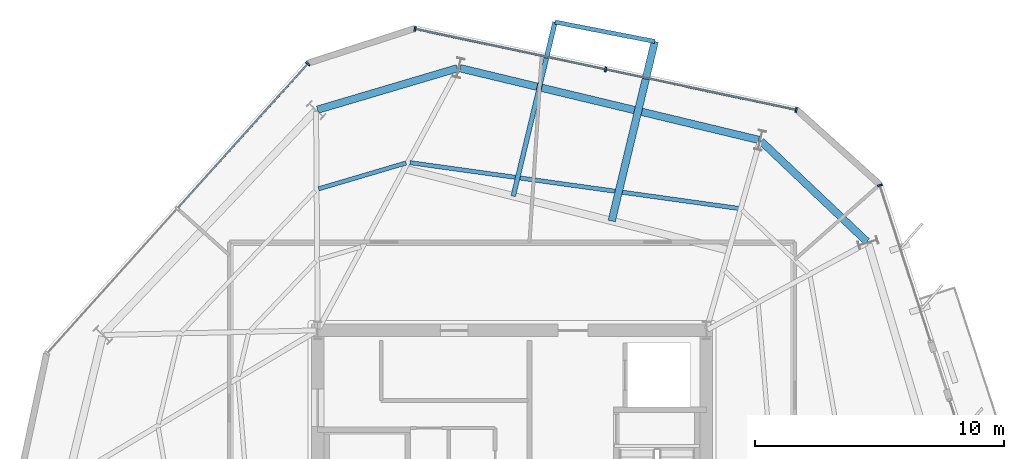
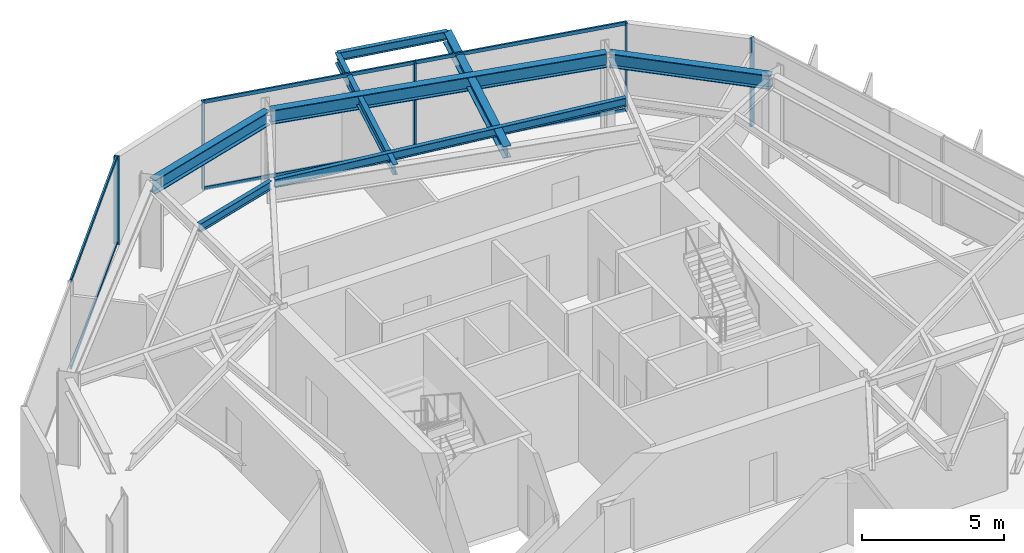
# One storey, part 5 of 11: 11 members, 8 beams, 3 elements without a shape of their own.
"""IFC4 building model written with IfcOpenShell, lengths in metres."""

from ifc_helpers import new_model, si_unit, direction, frame, origin, origin_2d, place, context, subcontext, project, spatial, rectangle, i_section, extrude, material, layer, layer_set, material_profile, profile_set, type_object, element, aggregate, save


model = new_model("IFC4")

# Units and contexts
model_context = context("Model", 3, precision=1e-05, world=origin(), true_north=direction((0.0, 1.0)))
body_context = subcontext(model_context, "Body", "Model", "MODEL_VIEW")
ifc_project = project(units=[si_unit("LENGTHUNIT", "METRE"), si_unit("AREAUNIT", "SQUARE_METRE"), si_unit("VOLUMEUNIT", "CUBIC_METRE"), si_unit("PLANEANGLEUNIT", "RADIAN"), si_unit("MASSUNIT", "GRAM", prefix="KILO")], contexts=[model_context])

# Site, building, storey
site_placement = place(None, origin())
site = spatial("IfcSite", under=ifc_project, at=site_placement, CompositionType="ELEMENT")
building_placement = place(site_placement, origin())
building = spatial("IfcBuilding", under=site, at=building_placement, Name="Kranzbogen Civic Tower", CompositionType="ELEMENT")
storey_placement = place(building_placement, frame((0.0, 0.0, 216.800048828125)))
storey = spatial("IfcBuildingStorey", under=building, at=storey_placement, Name="L52", CompositionType="ELEMENT", Elevation=216.800048828125)

# Beam
ifc_material_1 = material(Name="Steel S355", Category="steel")
ifc_material_profile_1 = material_profile(ifc_material_1, i_section(OverallWidth=0.18994140625, OverallDepth=0.449951171875, WebThickness=0.009521484375, FlangeThickness=0.0146484375, at=origin_2d()), Name="IPE 450")
ifc_profile_set_1 = profile_set([ifc_material_profile_1], Name="Steel S355")
beam_type_1 = type_object("IfcBeamType", Name="Braced Terrace Edge Beam IPE 450", PredefinedType="BEAM", material=ifc_profile_set_1)
beam_1_placement = place(storey_placement, frame((25.050048828125, 37.587890625, 3.52490234375), z_axis=(0.233384511099, 0.972384527838, 0.0), x_axis=(-0.972384527838, 0.233384511099, 0.0)))
element("IfcBeam", 1, at=beam_1_placement, inside=storey, type_object=beam_type_1, Name="L53 back-spanned terrace beam L53-TB1-2", PredefinedType="BEAM", context=body_context, shape_type="SweptSolid", body=[
    extrude(i_section(OverallWidth=0.18994140625, OverallDepth=0.449951171875, WebThickness=0.009521484375, FlangeThickness=0.0146484375, at=origin_2d()), origin(), (0.0, 0.0, 1.0), 7.189697265625),
])

# Curtain wall, members
ifc_material_2 = material(Name="Pale Anodised Aluminium", Category="aluminium")
ifc_layer = layer(ifc_material_2, 0.219970703125, Name="Pale Anodised Aluminium")
ifc_layer_set = layer_set([ifc_layer], Name="Pale Anodised Aluminium")
curtain_wall_type = type_object("IfcCurtainWallType", Name="Zone 3 Stick Curtain Wall System CW-04", PredefinedType="USERDEFINED", material=ifc_layer_set)
curtain_wall_1_placement = place(storey_placement, origin())
curtain_wall_1 = element("IfcCurtainWall", 2, at=curtain_wall_1_placement, inside=storey, type_object=curtain_wall_type, Name="L52 curtain wall CW-L52-F1", ObjectType="STICK CURTAIN WALL", PredefinedType="USERDEFINED")
ifc_material_profile_2 = material_profile(ifc_material_2, rectangle(XDim=0.070068359375, YDim=0.199951171875, at=origin_2d()), Name="ALU-M 70x200")
ifc_profile_set_2 = profile_set([ifc_material_profile_2], Name="Pale Anodised Aluminium")
member_type_1 = type_object("IfcMemberType", Name="Curtain Wall Mullion ALU-M 70x200", PredefinedType="MULLION", material=ifc_profile_set_2)
member_1_placement = place(storey_placement, frame((36.41064453125, 41.05029296875, 0.0), z_axis=(0.0, 0.0, 1.0), x_axis=(-0.978146714793, 0.2079158588, 0.0)))
member_1 = element("IfcMember", 3, at=member_1_placement, type_object=member_type_1, Name="CW-04 mullion 1", PredefinedType="MULLION", context=body_context, shape_type="SweptSolid", body=[
    extrude(rectangle(XDim=0.070068359375, YDim=0.199951171875, at=origin_2d()), origin(), (0.0, 0.0, 1.0), 3.780029296875),
])
member_2_placement = place(storey_placement, frame((28.757568359375, 42.677001953125, 0.0), z_axis=(0.0, 0.0, 1.0), x_axis=(-0.978146714793, 0.2079158588, 0.0)))
member_2 = element("IfcMember", 4, at=member_2_placement, type_object=member_type_1, Name="CW-04 mullion 2", PredefinedType="MULLION", context=body_context, shape_type="SweptSolid", body=[
    extrude(rectangle(XDim=0.070068359375, YDim=0.199951171875, at=origin_2d()), origin(), (0.0, 0.0, 1.0), 3.780029296875),
])
member_3_placement = place(storey_placement, frame((21.104248046875, 44.3037109375, 0.0), z_axis=(0.0, 0.0, 1.0), x_axis=(-0.978146714793, 0.2079158588, 0.0)))
member_3 = element("IfcMember", 5, at=member_3_placement, type_object=member_type_1, Name="CW-04 mullion 3", PredefinedType="MULLION", context=body_context, shape_type="SweptSolid", body=[
    extrude(rectangle(XDim=0.070068359375, YDim=0.199951171875, at=origin_2d()), origin(), (0.0, 0.0, 1.0), 3.780029296875),
])

# Curtain wall, member
curtain_wall_2_placement = place(storey_placement, origin())
curtain_wall_2 = element("IfcCurtainWall", 6, at=curtain_wall_2_placement, inside=storey, type_object=curtain_wall_type, Name="L52 curtain wall CW-L52-F2", ObjectType="STICK CURTAIN WALL", PredefinedType="USERDEFINED")
member_4_placement = place(storey_placement, frame((16.804931640625, 42.90673828125, 0.0), z_axis=(0.0, 0.0, 1.0), x_axis=(-0.669115965392, -0.743158008002, 0.0)))
member_4 = element("IfcMember", 7, at=member_4_placement, type_object=member_type_1, Name="CW-04 mullion 1", PredefinedType="MULLION", context=body_context, shape_type="SweptSolid", body=[
    extrude(rectangle(XDim=0.070068359375, YDim=0.199951171875, at=origin_2d()), origin(), (0.0, 0.0, 1.0), 3.780029296875),
])

curtain_wall_3_placement = place(storey_placement, origin())
curtain_wall_3 = element("IfcCurtainWall", 8, at=curtain_wall_3_placement, inside=storey, type_object=curtain_wall_type, Name="L52 curtain wall CW-L52-F6-S2", ObjectType="STICK CURTAIN WALL", PredefinedType="USERDEFINED")
member_5_placement = place(storey_placement, frame((39.769287109375, 38.025390625, 0.0), z_axis=(0.0, 0.0, 1.0), x_axis=(-0.309004509725, 0.951060572713, 0.0)))
member_5 = element("IfcMember", 9, at=member_5_placement, type_object=member_type_1, Name="CW-04 mullion 2", PredefinedType="MULLION", context=body_context, shape_type="SweptSolid", body=[
    extrude(rectangle(XDim=0.070068359375, YDim=0.199951171875, at=origin_2d()), origin(), (0.0, 0.0, 1.0), 3.780029296875),
])
aggregate(curtain_wall_3, [member_5])

# Member
ifc_material_profile_3 = material_profile(ifc_material_2, rectangle(XDim=0.070068359375, YDim=0.14990234375, at=origin_2d()), Name="ALU-T 70x150")
ifc_profile_set_3 = profile_set([ifc_material_profile_3], Name="Pale Anodised Aluminium")
member_type_2 = type_object("IfcMemberType", Name="Curtain Wall Transom ALU-T 70x150", PredefinedType="USERDEFINED", material=ifc_profile_set_3)
member_6_placement = place(storey_placement, frame((36.38134765625, 41.056396484375, 0.030029296875), z_axis=(-0.978147581318, 0.207911782161, 0.0), x_axis=(-0.207911782161, -0.978147581318, 0.0)))
member_6 = element("IfcMember", 10, at=member_6_placement, type_object=member_type_2, Name="CW-04 transom 1.1", ObjectType="TRANSOM", PredefinedType="USERDEFINED", context=body_context, shape_type="SweptSolid", body=[
    extrude(rectangle(XDim=0.070068359375, YDim=0.14990234375, at=origin_2d()), origin(), (0.0, 0.0, 1.0), 7.76416015625),
])

member_7_placement = place(storey_placement, frame((36.38134765625, 41.056396484375, 3.75), z_axis=(-0.978147581318, 0.207911782161, 0.0), x_axis=(-0.207911782161, -0.978147581318, 0.0)))
member_7 = element("IfcMember", 11, at=member_7_placement, type_object=member_type_2, Name="CW-04 transom 1.2", ObjectType="TRANSOM", PredefinedType="USERDEFINED", context=body_context, shape_type="SweptSolid", body=[
    extrude(rectangle(XDim=0.070068359375, YDim=0.14990234375, at=origin_2d()), origin(), (0.0, 0.0, 1.0), 7.76416015625),
])

member_8_placement = place(storey_placement, frame((28.728271484375, 42.683349609375, 0.030029296875), z_axis=(-0.978147581318, 0.207911782161, 0.0), x_axis=(-0.207911782161, -0.978147581318, 0.0)))
member_8 = element("IfcMember", 12, at=member_8_placement, type_object=member_type_2, Name="CW-04 transom 2.1", ObjectType="TRANSOM", PredefinedType="USERDEFINED", context=body_context, shape_type="SweptSolid", body=[
    extrude(rectangle(XDim=0.070068359375, YDim=0.14990234375, at=origin_2d()), origin(), (0.0, 0.0, 1.0), 7.76416015625),
])

member_9_placement = place(storey_placement, frame((28.728271484375, 42.683349609375, 3.75), z_axis=(-0.978147581318, 0.207911782161, 0.0), x_axis=(-0.207911782161, -0.978147581318, 0.0)))
member_9 = element("IfcMember", 13, at=member_9_placement, type_object=member_type_2, Name="CW-04 transom 2.2", ObjectType="TRANSOM", PredefinedType="USERDEFINED", context=body_context, shape_type="SweptSolid", body=[
    extrude(rectangle(XDim=0.070068359375, YDim=0.14990234375, at=origin_2d()), origin(), (0.0, 0.0, 1.0), 7.76416015625),
])

aggregate(curtain_wall_1, [member_1, member_2, member_3, member_6, member_7, member_8, member_9])

member_10_placement = place(storey_placement, frame((16.784912109375, 42.884521484375, 0.030029296875), z_axis=(-0.669108919124, -0.743164352179, 0.0), x_axis=(0.743164352179, -0.669108919124, 0.0)))
member_10 = element("IfcMember", 14, at=member_10_placement, type_object=member_type_2, Name="CW-04 transom 1.1", ObjectType="TRANSOM", PredefinedType="USERDEFINED", context=body_context, shape_type="SweptSolid", body=[
    extrude(rectangle(XDim=0.070068359375, YDim=0.14990234375, at=origin_2d()), origin(), (0.0, 0.0, 1.0), 7.763916015625),
])

member_11_placement = place(storey_placement, frame((16.784912109375, 42.884521484375, 3.75), z_axis=(-0.669108919124, -0.743164352179, 0.0), x_axis=(0.743164352179, -0.669108919124, 0.0)))
member_11 = element("IfcMember", 15, at=member_11_placement, type_object=member_type_2, Name="CW-04 transom 1.2", ObjectType="TRANSOM", PredefinedType="USERDEFINED", context=body_context, shape_type="SweptSolid", body=[
    extrude(rectangle(XDim=0.070068359375, YDim=0.14990234375, at=origin_2d()), origin(), (0.0, 0.0, 1.0), 7.763916015625),
])

aggregate(curtain_wall_2, [member_4, member_10, member_11])

# Beams
ifc_material_profile_4 = material_profile(ifc_material_1, i_section(OverallWidth=0.300048828125, OverallDepth=0.5, WebThickness=0.014404296875, FlangeThickness=0.028076171875, at=origin_2d()), Name="HEB 500")
ifc_profile_set_4 = profile_set([ifc_material_profile_4], Name="Steel S355")
beam_type_2 = type_object("IfcBeamType", Name="Perimeter Tube Spandrel Beam HEB 500", PredefinedType="SPANDREL", material=ifc_profile_set_4)
beam_2_placement = place(storey_placement, frame((29.0029296875, 36.593017578125, 3.5), z_axis=(0.233380426468, 0.972385508192, 0.0), x_axis=(-0.972385508192, 0.233380426468, 0.0)))
element("IfcBeam", 16, at=beam_2_placement, inside=storey, type_object=beam_type_2, Name="L53 back-spanned terrace beam L53-TB1-1", PredefinedType="SPANDREL", context=body_context, shape_type="SweptSolid", body=[
    extrude(i_section(OverallWidth=0.300048828125, OverallDepth=0.5, WebThickness=0.014404296875, FlangeThickness=0.028076171875, at=origin_2d()), origin(), (0.0, 0.0, 1.0), 7.41259765625),
])
ifc_material_profile_5 = material_profile(ifc_material_1, i_section(OverallWidth=0.300048828125, OverallDepth=0.60009765625, WebThickness=0.015380859375, FlangeThickness=0.030029296875, at=origin_2d()), Name="HEB 600")
ifc_profile_set_5 = profile_set([ifc_material_profile_5], Name="Steel S355")
beam_type_3 = type_object("IfcBeamType", Name="Perimeter Tube Spandrel Beam HEB 600", PredefinedType="SPANDREL", material=ifc_profile_set_5)
beam_3_placement = place(storey_placement, frame((39.2490234375, 35.764892578125, 3.47998046875), z_axis=(-0.725245206788, 0.688490660816, 0.0), x_axis=(-0.688490660816, -0.725245206788, 0.0)))
element("IfcBeam", 17, at=beam_3_placement, inside=storey, type_object=beam_type_3, Name="L52 perimeter spandrel beam 07", PredefinedType="SPANDREL", context=body_context, shape_type="SweptSolid", body=[
    extrude(i_section(OverallWidth=0.300048828125, OverallDepth=0.60009765625, WebThickness=0.015380859375, FlangeThickness=0.030029296875, at=origin_2d()), origin(), (0.0, 0.0, 1.0), 5.85205078125),
])
beam_4_placement = place(storey_placement, frame((34.903076171875, 39.84912109375, 3.47998046875), z_axis=(-0.972377592092, 0.233413406637, 0.0), x_axis=(-0.233413406637, -0.972377592092, 0.0)))
element("IfcBeam", 18, at=beam_4_placement, inside=storey, type_object=beam_type_3, Name="L52 perimeter spandrel beam 08", PredefinedType="SPANDREL", context=body_context, shape_type="SweptSolid", body=[
    extrude(i_section(OverallWidth=0.300048828125, OverallDepth=0.60009765625, WebThickness=0.015380859375, FlangeThickness=0.030029296875, at=origin_2d()), origin(), (0.0, 0.0, 1.0), 12.32568359375),
])
beam_5_placement = place(storey_placement, frame((22.802001953125, 42.722900390625, 3.47998046875), z_axis=(-0.9588296723, -0.283981794341, 0.0), x_axis=(0.283981794341, -0.9588296723, 0.0)))
element("IfcBeam", 19, at=beam_5_placement, inside=storey, type_object=beam_type_3, Name="L52 perimeter spandrel beam 09", PredefinedType="SPANDREL", context=body_context, shape_type="SweptSolid", body=[
    extrude(i_section(OverallWidth=0.300048828125, OverallDepth=0.60009765625, WebThickness=0.015380859375, FlangeThickness=0.030029296875, at=origin_2d()), origin(), (0.0, 0.0, 1.0), 5.85205078125),
])
ifc_material_profile_6 = material_profile(ifc_material_1, i_section(OverallWidth=0.169921875, OverallDepth=0.360107421875, WebThickness=0.008056640625, FlangeThickness=0.0126953125, at=origin_2d()), Name="IPE 360")
ifc_profile_set_6 = profile_set([ifc_material_profile_6], Name="Steel S355")
beam_type_4 = type_object("IfcBeamType", Name="Secondary Composite Floor Joist IPE 360", PredefinedType="JOIST", material=ifc_profile_set_6)
beam_6_placement = place(storey_placement, frame((34.10400390625, 37.096923828125, 3.599853515625), z_axis=(-0.990445837232, 0.137902296968, 0.0), x_axis=(-0.137902296968, -0.990445837232, 0.0)))
element("IfcBeam", 20, at=beam_6_placement, inside=storey, type_object=beam_type_4, Name="L52 secondary floor joist 1.08", PredefinedType="JOIST", context=body_context, shape_type="SweptSolid", body=[
    extrude(i_section(OverallWidth=0.169921875, OverallDepth=0.360107421875, WebThickness=0.008056640625, FlangeThickness=0.0126953125, at=origin_2d()), origin(), (0.0, 0.0, 1.0), 13.329345703125),
])
beam_7_placement = place(storey_placement, frame((20.74609375, 38.923095703125, 3.599853515625), z_axis=(-0.958843823165, -0.283934011309, 0.0), x_axis=(0.283934011309, -0.958843823165, 0.0)))
element("IfcBeam", 21, at=beam_7_placement, inside=storey, type_object=beam_type_4, Name="L52 secondary floor joist 1.09", PredefinedType="JOIST", context=body_context, shape_type="SweptSolid", body=[
    extrude(i_section(OverallWidth=0.169921875, OverallDepth=0.360107421875, WebThickness=0.008056640625, FlangeThickness=0.0126953125, at=origin_2d()), origin(), (0.0, 0.0, 1.0), 3.662841796875),
])
beam_8_placement = place(storey_placement, frame((30.73291015625, 43.801025390625, 3.570068359375), z_axis=(-0.981645276291, 0.190715892193, 0.0), x_axis=(-0.190715892193, -0.981645276291, 0.0)))
element("IfcBeam", 22, at=beam_8_placement, inside=storey, type_object=beam_type_4, Name="L53 terrace outer edge trimmer L53-TB1", PredefinedType="JOIST", context=body_context, shape_type="SweptSolid", body=[
    extrude(i_section(OverallWidth=0.169921875, OverallDepth=0.360107421875, WebThickness=0.008056640625, FlangeThickness=0.0126953125, at=origin_2d()), origin(), (0.0, 0.0, 1.0), 4.079833984375),
])

save(model, "model.ifc")
